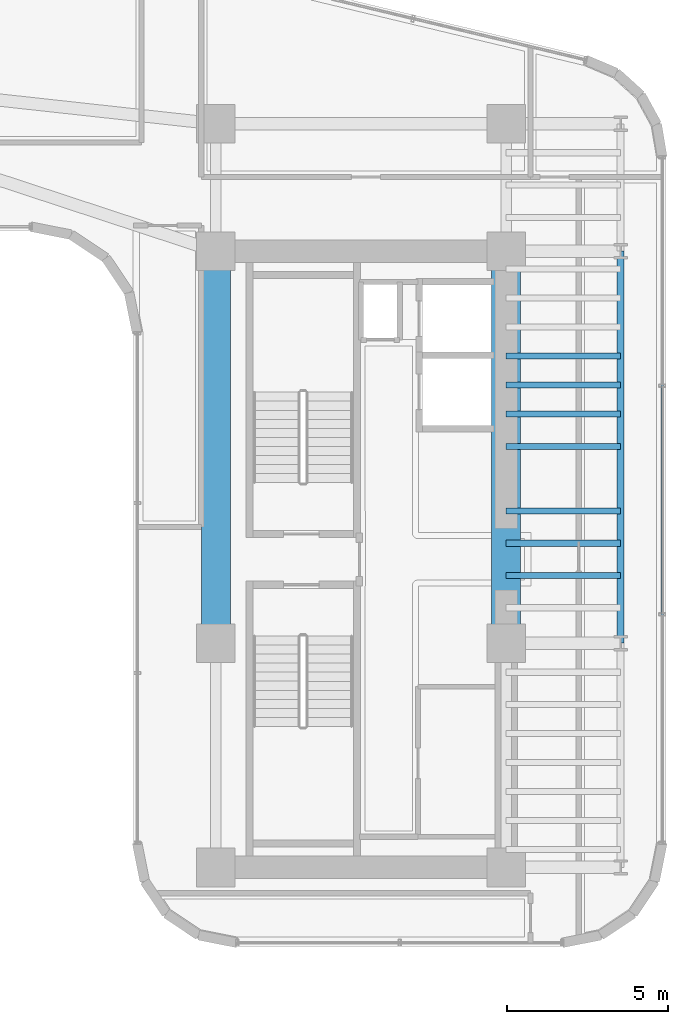
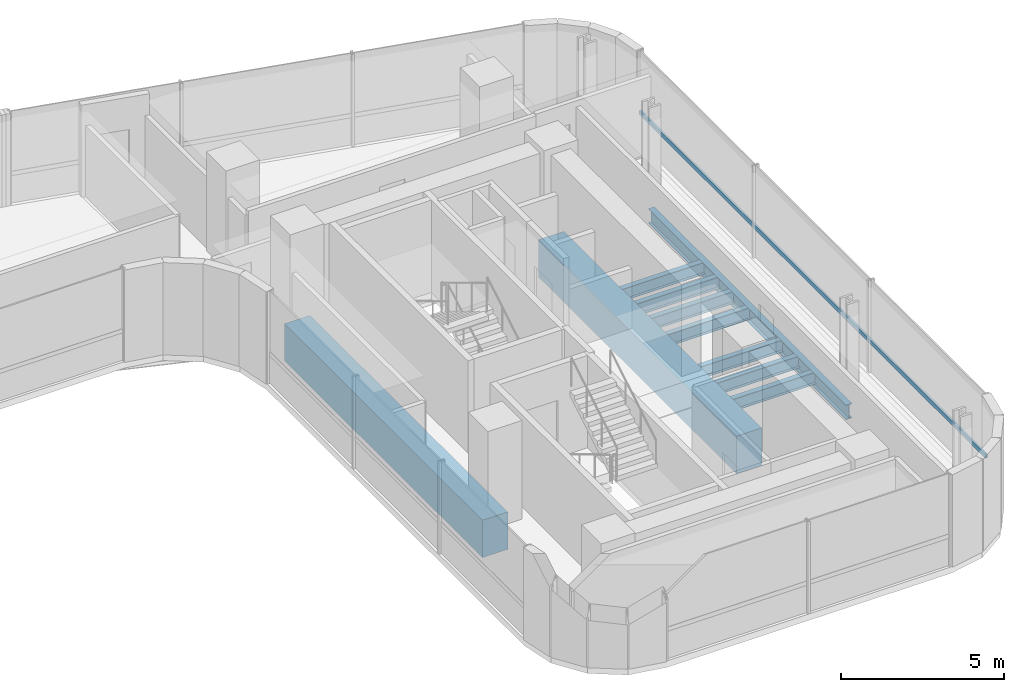
# One storey, part 17 of 34: 10 beams, 1 member, 1 element without a shape of its own.
"""IFC4 building model written with IfcOpenShell, lengths in metres."""

from ifc_helpers import new_model, si_unit, direction, frame, origin, origin_2d, place, context, subcontext, project, spatial, rectangle, hollow_rectangle, i_section, extrude, source, transform, mapped, material, material_profile, profile_set, type_object, element, aggregate, save


model = new_model("IFC4")

# Units and contexts
model_context = context("Model", 3, precision=1e-05, world=origin(), true_north=direction((0.0, 1.0)))
body_context = subcontext(model_context, "Body", "Model", "MODEL_VIEW")
ifc_project = project(units=[si_unit("LENGTHUNIT", "METRE"), si_unit("AREAUNIT", "SQUARE_METRE"), si_unit("VOLUMEUNIT", "CUBIC_METRE"), si_unit("PLANEANGLEUNIT", "RADIAN"), si_unit("MASSUNIT", "GRAM", prefix="KILO")], contexts=[model_context])

# Site, building, storey
site_placement = place(None, origin())
site = spatial("IfcSite", under=ifc_project, at=site_placement, CompositionType="ELEMENT")
building_placement = place(site_placement, origin())
building = spatial("IfcBuilding", under=site, at=building_placement, Name="Valdorenza Pilgrim Sanctuary Tower", CompositionType="ELEMENT")
storey_placement = place(building_placement, frame((0.0, 0.0, 120.5)))
storey = spatial("IfcBuildingStorey", under=building, at=storey_placement, Name="L30", CompositionType="ELEMENT", Elevation=120.5)

# Beams
ifc_material_1 = material(Name="Concrete C60/75", Category="concrete")
ifc_material_profile_1 = material_profile(ifc_material_1, rectangle(XDim=0.89990234375, YDim=1.39990234375, at=origin_2d()), Name="RC 1400x900")
ifc_profile_set_1 = profile_set([ifc_material_profile_1], Name="Concrete C60/75")
beam_type_1 = type_object("IfcBeamType", Name="STR-BM-LNT-1400", PredefinedType="LINTEL", material=ifc_profile_set_1)
shared_shape_1 = source(origin(), body_context, "Body", "SweptSolid", [
    extrude(rectangle(XDim=0.89990234375, YDim=1.39990234375, at=origin_2d()), origin(), (0.0, 0.0, 1.0), 12.150146484375),
])
for number, where, z_axis, x_axis, name in (
    (1, (15.85009765625, -2.60009765625, -0.739990234375), (0.0, 1.0, 0.0), (-1.0, 0.0, 0.0), "L30 Core B West Coupling Lintel Girder"),
    (2, (24.85009765625, -2.60009765625, -0.739990234375), (0.0, 1.0, 0.0), (-1.0, 0.0, 0.0), "L30 Core B East Coupling Lintel Girder"),
):
    element("IfcBeam", number, at=place(storey_placement, frame(where, z_axis=z_axis, x_axis=x_axis)), inside=storey, type_object=beam_type_1, Name=name, PredefinedType="LINTEL", context=body_context, shape_type="MappedRepresentation", body=[
        mapped(shared_shape_1, transform((0.0, 0.0, 0.0), x_axis=(1.0, 0.0, 0.0), y_axis=(0.0, 1.0, 0.0), z_axis=(0.0, 0.0, 1.0), scale=1.0)),
    ])
ifc_material_2 = material(Name="Steel ASTM A992 Grade 50", Category="steel")
ifc_material_profile_2 = material_profile(ifc_material_2, i_section(OverallWidth=0.214111328125, OverallDepth=0.549072265625, WebThickness=0.0146484375, FlangeThickness=0.023681640625, at=origin_2d()), Name="W21X93")
ifc_profile_set_2 = profile_set([ifc_material_profile_2], Name="Steel ASTM A992 Grade 50")
beam_type_2 = type_object("IfcBeamType", Name="STR-BM-SPN-W21A", PredefinedType="SPANDREL", material=ifc_profile_set_2)
shared_shape_2 = source(origin(), body_context, "Body", "SweptSolid", [
    extrude(i_section(OverallWidth=0.214111328125, OverallDepth=0.549072265625, WebThickness=0.0146484375, FlangeThickness=0.023681640625, at=origin_2d()), origin(), (0.0, 0.0, 1.0), 12.150146484375),
])
beam_placement = place(storey_placement, frame((28.39990234375, -2.60009765625, -0.514404296875), z_axis=(0.0, 1.0, 0.0), x_axis=(-1.0, 0.0, 0.0)))
element("IfcBeam", 3, at=beam_placement, inside=storey, type_object=beam_type_2, Name="L30 Spandrel Beam WB-E-M0N1", PredefinedType="SPANDREL", context=body_context, shape_type="MappedRepresentation", body=[
    mapped(shared_shape_2, transform((0.0, 0.0, 0.0), x_axis=(1.0, 0.0, 0.0), y_axis=(0.0, 1.0, 0.0), z_axis=(0.0, 0.0, 1.0), scale=1.0)),
])
ifc_material_profile_3 = material_profile(ifc_material_2, i_section(OverallWidth=0.19091796875, OverallDepth=0.45703125, WebThickness=0.009033203125, FlangeThickness=0.014404296875, at=origin_2d()), Name="W18X50")
ifc_profile_set_3 = profile_set([ifc_material_profile_3], Name="Steel ASTM A992 Grade 50")
beam_type_3 = type_object("IfcBeamType", Name="STR-BM-JST-W18B", PredefinedType="JOIST", material=ifc_profile_set_3)
shared_shape_3 = source(origin(), body_context, "Body", "SweptSolid", [
    extrude(i_section(OverallWidth=0.19091796875, OverallDepth=0.45703125, WebThickness=0.009033203125, FlangeThickness=0.014404296875, at=origin_2d()), origin(), (0.0, 0.0, 1.0), 3.5498046875),
])
for number, where, z_axis, x_axis, name in (
    (4, (24.85009765625, -0.5, -0.468505859375), (1.0, 0.0, 0.0), (0.0, 1.0, 0.0), "L30 Composite Floor Joist JST-WB-9"),
    (5, (24.85009765625, 0.5, -0.468505859375), (1.0, 0.0, 0.0), (0.0, 1.0, 0.0), "L30 Composite Floor Joist JST-WB-10"),
    (6, (24.85009765625, 1.5, -0.468505859375), (1.0, 0.0, 0.0), (0.0, 1.0, 0.0), "L30 Composite Floor Joist JST-WB-11"),
    (7, (24.85009765625, 3.5, -0.468505859375), (1.0, 0.0, 0.0), (0.0, 1.0, 0.0), "L30 Composite Floor Joist JST-WB-12"),
    (8, (24.85009765625, 4.5, -0.468505859375), (1.0, 0.0, 0.0), (0.0, 1.0, 0.0), "L30 Composite Floor Joist JST-WB-13"),
    (9, (24.85009765625, 5.39990234375, -0.468505859375), (1.0, 0.0, 0.0), (0.0, 1.0, 0.0), "L30 Composite Floor Joist JST-WB-14"),
    (10, (24.85009765625, 6.300048828125, -0.468505859375), (1.0, 0.0, 0.0), (0.0, 1.0, 0.0), "L30 Composite Floor Joist JST-WB-15"),
):
    element("IfcBeam", number, at=place(storey_placement, frame(where, z_axis=z_axis, x_axis=x_axis)), inside=storey, type_object=beam_type_3, Name=name, PredefinedType="JOIST", context=body_context, shape_type="MappedRepresentation", body=[
        mapped(shared_shape_3, transform((0.0, 0.0, 0.0), x_axis=(1.0, 0.0, 0.0), y_axis=(0.0, 1.0, 0.0), z_axis=(0.0, 0.0, 1.0), scale=1.0)),
    ])

# Curtain wall, member
ifc_material_3 = material(Name="Curtain-wall IGU glazing", Category="glass")
curtain_wall_type = type_object("IfcCurtainWallType", Name="CW-SYS-03", PredefinedType="NOTDEFINED", material=ifc_material_3)
curtain_wall_placement = place(storey_placement, origin())
curtain_wall = element("IfcCurtainWall", 11, at=curtain_wall_placement, inside=storey, type_object=curtain_wall_type, Name="L30 Curtain Wall CW-L30-1-21", PredefinedType="NOTDEFINED")
ifc_material_4 = material(Name="Anodised aluminium AW-6060", Category="aluminium")
ifc_material_profile_4 = material_profile(ifc_material_4, hollow_rectangle(XDim=0.074951171875, YDim=0.159912109375, WallThickness=0.00390625, at=origin_2d()), Name="ALU-T 160x75x4")
ifc_profile_set_4 = profile_set([ifc_material_profile_4], Name="Anodised aluminium AW-6060")
member_type = type_object("IfcMemberType", Name="CW-TRN-03", PredefinedType="USERDEFINED", material=ifc_profile_set_4)
shared_shape_4 = source(origin(), body_context, "Body", "SweptSolid", [
    extrude(hollow_rectangle(XDim=0.074951171875, YDim=0.159912109375, WallThickness=0.00390625, at=origin_2d()), origin(), (0.0, 0.0, 1.0), 21.255615234375),
])
member_placement = place(storey_placement, frame((29.68994140625, 12.46630859375, 1.1201171875), z_axis=(0.0, -1.0, 0.0), x_axis=(1.0, 0.0, 0.0)))
member = element("IfcMember", 12, at=member_placement, type_object=member_type, Name="CW-L30-1-21 Transom 1", ObjectType="TRANSOM", PredefinedType="USERDEFINED", context=body_context, shape_type="MappedRepresentation", body=[
    mapped(shared_shape_4, transform((0.0, 0.0, 0.0), x_axis=(1.0, 0.0, 0.0), y_axis=(0.0, 1.0, 0.0), z_axis=(0.0, 0.0, 1.0), scale=1.0)),
])
aggregate(curtain_wall, [member])

save(model, "model.ifc")
